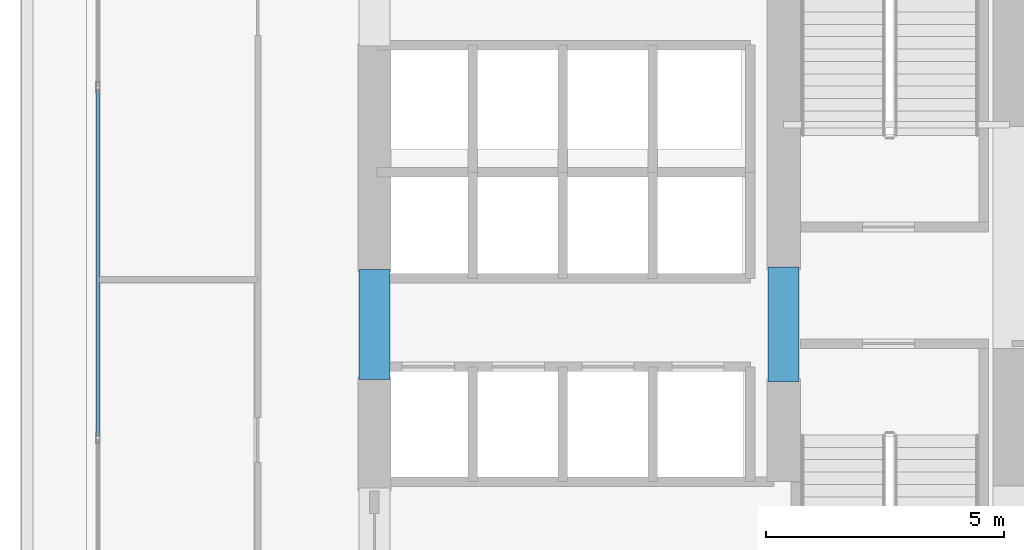
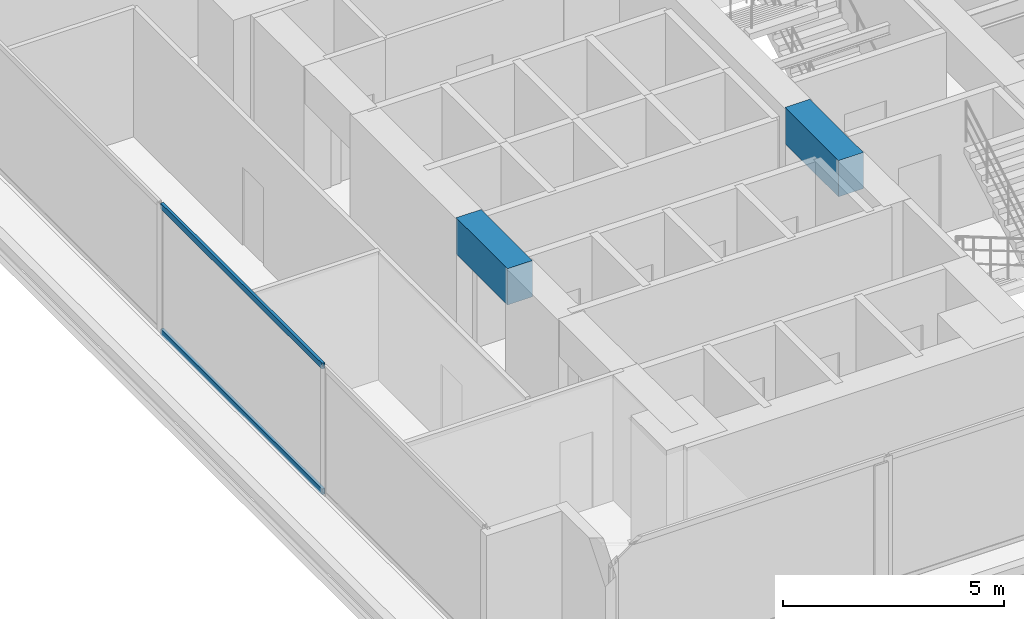
# One storey, part 3 of 29: 2 beams, 2 members, 1 element without a shape of its own.
"""IFC4 building model written with IfcOpenShell, lengths in metres."""

import ifcopenshell
import ifcopenshell.guid

model = None  # the IFC model being written
_history = None  # IfcOwnerHistory: only IFC2X3 demands one
_inside = {}  # id of a spatial element -> (the spatial element, [elements in it])
_under = {}  # id of a project, library or spatial element -> (it, [spatial elements below it])
_declared = {}  # id of a project -> (the project, [libraries it declares])
_typed = {}  # id of a type object -> (the type object, [elements of that type])
_made_of = {}  # id of a material, layer set ... -> (it, [elements and type objects made of it])


def new_model(schema):
    """Start an empty IFC model of exactly this schema.

    Asked for "IFC4X3", IfcOpenShell would pick the latest addendum, in which some entities
    have other attributes; the version numbers below select the first issue.
    IFC2X3 requires an IfcOwnerHistory on every rooted entity: one is made here for all.
    """
    global model, _history
    if schema == "IFC4X3":
        model = ifcopenshell.file(schema_version=(4, 3, 0, 0))
    else:
        model = ifcopenshell.file(schema=schema)
    _inside.clear()
    _under.clear()
    _declared.clear()
    _typed.clear()
    _made_of.clear()
    _history = None
    if model.schema == "IFC2X3":
        org = make("IfcOrganization", Name="unknown")
        user = make(
            "IfcPersonAndOrganization",
            ThePerson=make("IfcPerson", FamilyName="unknown"),
            TheOrganization=org,
        )
        app = make(
            "IfcApplication",
            ApplicationDeveloper=org,
            Version="unknown",
            ApplicationFullName="unknown",
            ApplicationIdentifier="unknown",
        )
        _history = make(
            "IfcOwnerHistory",
            OwningUser=user,
            OwningApplication=app,
            ChangeAction="ADDED",
            CreationDate=0,
        )
    return model


def make(cls, **values):
    """One entity of the class cls with the attributes given. An attribute that is None is left unset."""
    return model.create_entity(
        cls, **{name: value for name, value in values.items() if value is not None}
    )


def rooted(cls, **values):
    """An entity with a GlobalId (a new one), such as an element, a storey or a relation."""
    return make(cls, GlobalId=ifcopenshell.guid.new(), OwnerHistory=_history, **values)


def si_unit(unit_type, name, prefix=None):
    """IfcSIUnit, for example si_unit("LENGTHUNIT", "METRE", prefix="MILLI")."""
    return make("IfcSIUnit", UnitType=unit_type, Prefix=prefix, Name=name)


def assignment(units):
    """IfcUnitAssignment: the units of a project."""
    return None if units is None else make("IfcUnitAssignment", Units=units)


def point(xyz):
    """IfcCartesianPoint."""
    return None if xyz is None else make("IfcCartesianPoint", Coordinates=xyz)


def direction(xyz):
    """IfcDirection."""
    return None if xyz is None else make("IfcDirection", DirectionRatios=xyz)


def frame(location, z_axis=None, x_axis=None):
    """IfcAxis2Placement3D, a coordinate frame: its origin and axes. An axis left out is left unset."""
    return make(
        "IfcAxis2Placement3D",
        Location=point(location),
        Axis=direction(z_axis),
        RefDirection=direction(x_axis),
    )


def frame_2d(location, x_axis=None):
    """IfcAxis2Placement2D, a coordinate frame in the plane: its origin and x axis."""
    return make(
        "IfcAxis2Placement2D", Location=point(location), RefDirection=direction(x_axis)
    )


def origin():
    """The frame at (0, 0, 0) with its axes left unset."""
    return frame((0.0, 0.0, 0.0))


def origin_with_axes():
    """The frame at (0, 0, 0) with the z axis (0, 0, 1) and the x axis (1, 0, 0) written out."""
    return frame((0.0, 0.0, 0.0), z_axis=(0.0, 0.0, 1.0), x_axis=(1.0, 0.0, 0.0))


def origin_2d():
    """The frame at (0, 0) in the plane with its x axis left unset."""
    return frame_2d((0.0, 0.0))


def place(relative_to, where):
    """IfcLocalPlacement: puts the frame where relative to a parent placement (None: the world)."""
    return make(
        "IfcLocalPlacement", PlacementRelTo=relative_to, RelativePlacement=where
    )


def context(
    kind, dimensions, precision=None, world=None, true_north=None, identifier=None
):
    """IfcGeometricRepresentationContext, for example the 3D "Model" context."""
    return make(
        "IfcGeometricRepresentationContext",
        ContextIdentifier=identifier,
        ContextType=kind,
        CoordinateSpaceDimension=dimensions,
        Precision=precision,
        WorldCoordinateSystem=world,
        TrueNorth=true_north,
    )


def subcontext(parent, identifier, kind, view, scale=None):
    """IfcGeometricRepresentationSubContext, for example "Body" below "Model"."""
    return make(
        "IfcGeometricRepresentationSubContext",
        ContextIdentifier=identifier,
        ContextType=kind,
        ParentContext=parent,
        TargetScale=scale,
        TargetView=view,
    )


def project(units=None, contexts=None):
    """IfcProject with its units and contexts."""
    return rooted(
        "IfcProject",
        Name="project",
        RepresentationContexts=contexts,
        UnitsInContext=assignment(units),
    )


def spatial(cls, under=None, at=None, **own):
    """A site, building, storey or space (cls), placed at a placement, below another one or the project."""
    s = rooted(cls, ObjectPlacement=at, **own)
    if under is not None:
        _under.setdefault(under.id(), (under, []))[1].append(s)
    return s


def profile(cls, at=None, kind="AREA", **sizes):
    """A parametric profile (cls). Its sizes go by their IFC names, for example OverallWidth=200.0."""
    return make(cls, ProfileType=kind, Position=at, **sizes)


def rectangle(**sizes):
    """IfcRectangleProfileDef."""
    return profile("IfcRectangleProfileDef", **sizes)


def hollow_rectangle(**sizes):
    """IfcRectangleHollowProfileDef."""
    return profile("IfcRectangleHollowProfileDef", **sizes)


def extrude(swept, where, along, depth):
    """IfcExtrudedAreaSolid: the profile swept, set in the frame where, extruded along a direction by depth."""
    return make(
        "IfcExtrudedAreaSolid",
        SweptArea=swept,
        Position=where,
        ExtrudedDirection=direction(along),
        Depth=depth,
    )


def shape(context_of_items, identifier, shape_type, items):
    """IfcShapeRepresentation: the items that make up one representation, for example the "Body"."""
    return make(
        "IfcShapeRepresentation",
        ContextOfItems=context_of_items,
        RepresentationIdentifier=identifier,
        RepresentationType=shape_type,
        Items=items,
    )


def source(mapping_origin, context_of_items, identifier, shape_type, items):
    """IfcRepresentationMap: a shape defined once, which mapped items show again and again."""
    return make(
        "IfcRepresentationMap",
        MappingOrigin=mapping_origin,
        MappedRepresentation=shape(context_of_items, identifier, shape_type, items),
    )


def transform(
    local_origin,
    x_axis=None,
    y_axis=None,
    z_axis=None,
    scale=None,
    scale2=None,
    scale3=None,
    uniform=True,
):
    """IfcCartesianTransformationOperator3D, or its non-uniform kind. x_axis, y_axis, z_axis: its Axis1, 2, 3."""
    if uniform:
        return make(
            "IfcCartesianTransformationOperator3D",
            Axis1=direction(x_axis),
            Axis2=direction(y_axis),
            LocalOrigin=point(local_origin),
            Scale=scale,
            Axis3=direction(z_axis),
        )
    return make(
        "IfcCartesianTransformationOperator3DnonUniform",
        Axis1=direction(x_axis),
        Axis2=direction(y_axis),
        LocalOrigin=point(local_origin),
        Scale=scale,
        Axis3=direction(z_axis),
        Scale2=scale2,
        Scale3=scale3,
    )


def mapped(mapping_source, mapping_target):
    """IfcMappedItem: shows the shape of a source again, moved by a transform."""
    return make(
        "IfcMappedItem", MappingSource=mapping_source, MappingTarget=mapping_target
    )


def material(Name=None, Category=None):
    """IfcMaterial."""
    return make("IfcMaterial", Name=Name, Category=Category)


def layer(
    of_material, thickness, ventilated=None, Name=None, Category=None, Priority=None
):
    """IfcMaterialLayer: one layer of a wall or slab, of a material (None: an air gap)."""
    return make(
        "IfcMaterialLayer",
        Material=of_material,
        LayerThickness=thickness,
        IsVentilated=ventilated,
        Name=Name,
        Category=Category,
        Priority=Priority,
    )


def layer_set(layers, Name=None):
    """IfcMaterialLayerSet."""
    return make("IfcMaterialLayerSet", MaterialLayers=layers, LayerSetName=Name)


def material_profile(
    of_material, cross_section, Name=None, Category=None, Priority=None
):
    """IfcMaterialProfile: a cross section and its material."""
    return make(
        "IfcMaterialProfile",
        Name=Name,
        Material=of_material,
        Profile=cross_section,
        Priority=Priority,
        Category=Category,
    )


def profile_set(profiles, Name=None, composite=None):
    """IfcMaterialProfileSet."""
    return make(
        "IfcMaterialProfileSet",
        Name=Name,
        MaterialProfiles=profiles,
        CompositeProfile=composite,
    )


def made_of(thing, what):
    """Note that an element or type object is made of a material, layer set ...; save() writes the relation."""
    if what is not None:
        _made_of.setdefault(what.id(), (what, []))[1].append(thing)
    return thing


def type_object(cls, material=None, **own):
    """A type object (cls), such as IfcWallType, which elements share."""
    return made_of(rooted(cls, **own), material)


def element(
    cls,
    number,
    at=None,
    inside=None,
    cuts=None,
    type_object=None,
    material=None,
    context=None,
    identifier="Body",
    shape_type=None,
    held_by="IfcProductDefinitionShape",
    body=None,
    shapes=None,
    **own,
):
    """One element of the class cls, such as IfcWall. Its Tag is "e" and its number.

    at: its placement. inside: the storey or other place that contains it. cuts: it is an
    opening in that element (IfcRelVoidsElement). A single representation is given by context,
    identifier, shape_type and body (its items); several are given by shapes. held_by: the class
    of the entity that holds the representations. save() writes the other relations.
    """
    e = rooted(cls, Tag="e%d" % number, ObjectPlacement=at, **own)
    if body is not None:
        shapes = [shape(context, identifier, shape_type, body)]
    if shapes is not None:
        e.Representation = make(held_by, Representations=shapes)
    if inside is not None:
        _inside.setdefault(inside.id(), (inside, []))[1].append(e)
    if cuts is not None:
        rooted(
            "IfcRelVoidsElement", RelatingBuildingElement=cuts, RelatedOpeningElement=e
        )
    if type_object is not None:
        _typed.setdefault(type_object.id(), (type_object, []))[1].append(e)
    return made_of(e, material)


def aggregate(whole, parts):
    """IfcRelAggregates: a whole, such as a stair, and the parts it consists of."""
    return rooted("IfcRelAggregates", RelatingObject=whole, RelatedObjects=parts)


def save(model, path):
    """Write the relations noted so far, then the file.

    IfcRelAggregates (storeys below a building ...), IfcRelContainedInSpatialStructure (elements
    in a storey), IfcRelDefinesByType, IfcRelAssociatesMaterial and IfcRelDeclares: one each for
    every whole, place, type object, material and project.
    """
    for whole, parts in _under.values():
        aggregate(whole, parts)
    for where, things in _inside.values():
        rooted(
            "IfcRelContainedInSpatialStructure",
            RelatedElements=things,
            RelatingStructure=where,
        )
    for kind, things in _typed.values():
        rooted("IfcRelDefinesByType", RelatedObjects=things, RelatingType=kind)
    for what, things in _made_of.values():
        rooted("IfcRelAssociatesMaterial", RelatedObjects=things, RelatingMaterial=what)
    for by, libraries in _declared.values():
        rooted("IfcRelDeclares", RelatingContext=by, RelatedDefinitions=libraries)
    model.write(path)


model = new_model("IFC4")

# Units and contexts
model_context = context("Model", 3, precision=1e-05, world=origin(), true_north=direction((0.0, 1.0)))
body_context = subcontext(model_context, "Body", "Model", "MODEL_VIEW")
ifc_project = project(units=[si_unit("LENGTHUNIT", "METRE"), si_unit("AREAUNIT", "SQUARE_METRE"), si_unit("VOLUMEUNIT", "CUBIC_METRE"), si_unit("PLANEANGLEUNIT", "RADIAN"), si_unit("MASSUNIT", "GRAM", prefix="KILO")], contexts=[model_context])

# Site, building, storey
site_placement = place(None, origin())
site = spatial("IfcSite", under=ifc_project, at=site_placement, CompositionType="ELEMENT")
building_placement = place(site_placement, origin())
building = spatial("IfcBuilding", under=site, at=building_placement, Name="Kolvaren Waterfront Exchange", CompositionType="ELEMENT")
storey_placement = place(building_placement, frame((0.0, 0.0, 29.60009765625)))
storey = spatial("IfcBuildingStorey", under=building, at=storey_placement, Name="L07", CompositionType="ELEMENT", Elevation=29.60009765625)

# Beams
ifc_material_1 = material(Name="Concrete C60/75", Category="concrete")
ifc_material_profile_1 = material_profile(ifc_material_1, rectangle(XDim=0.64990234375, YDim=1.0, at=origin_2d()), Name="RC-CB-1000x650")
ifc_profile_set_1 = profile_set([ifc_material_profile_1], Name="Concrete C60/75")
beam_type = type_object("IfcBeamType", Name="STR-CB-1000", PredefinedType="SPANDREL", material=ifc_profile_set_1)
beam_1_placement = place(storey_placement, frame((7.449951171875, 12.090087890625, 3.039794921875), z_axis=(0.0, 1.0, 0.0), x_axis=(-1.0, 0.0, 0.0)))
element("IfcBeam", 1, at=beam_1_placement, inside=storey, type_object=beam_type, Name="L07 core coupling beam 4", PredefinedType="SPANDREL", context=body_context, shape_type="SweptSolid", body=[
    extrude(rectangle(XDim=0.64990234375, YDim=1.0, at=origin_2d()), origin(), (0.0, 0.0, 1.0), 2.31982421875),
])
beam_2_placement = place(storey_placement, frame((16.050048828125, 12.0400390625, 3.039794921875), z_axis=(0.0, 1.0, 0.0), x_axis=(-1.0, 0.0, 0.0)))
element("IfcBeam", 2, at=beam_2_placement, inside=storey, type_object=beam_type, Name="L07 core coupling beam 6", PredefinedType="SPANDREL", context=body_context, shape_type="SweptSolid", body=[
    extrude(rectangle(XDim=0.64990234375, YDim=1.0, at=origin_2d()), origin(), (0.0, 0.0, 1.0), 2.419921875),
])

# Curtain wall, members
ifc_material_2 = material(Name="Anodised aluminium 6063-T6", Category="aluminium")
ifc_layer = layer(ifc_material_2, 0.219970703125, Name="Anodised aluminium 6063-T6")
ifc_layer_set = layer_set([ifc_layer], Name="Anodised aluminium 6063-T6")
curtain_wall_type = type_object("IfcCurtainWallType", Name="ARC-CW-SYS2", PredefinedType="USERDEFINED", material=ifc_layer_set)
curtain_wall_placement = place(storey_placement, origin())
curtain_wall = element("IfcCurtainWall", 3, at=curtain_wall_placement, inside=storey, type_object=curtain_wall_type, Name="L07 stick curtain wall CW2 (CW-L07-W)", ObjectType="STICK CURTAIN WALL", PredefinedType="USERDEFINED")
ifc_material_profile_2 = material_profile(ifc_material_2, hollow_rectangle(XDim=0.074951171875, YDim=0.159912109375, WallThickness=0.00439453125, at=origin_2d()), Name="ALU-TRN-160x75x4.5")
ifc_profile_set_2 = profile_set([ifc_material_profile_2], Name="Anodised aluminium 6063-T6")
member_type = type_object("IfcMemberType", Name="ARC-CWT-160", PredefinedType="USERDEFINED", material=ifc_profile_set_2)
shared_shape = source(origin_with_axes(), body_context, "Body", "SweptSolid", [
    extrude(hollow_rectangle(XDim=0.074951171875, YDim=0.159912109375, WallThickness=0.00439453125, at=origin_2d()), origin(), (0.0, 0.0, 1.0), 7.28662109375),
])
member_1_placement = place(storey_placement, frame((1.639892578125, 10.90673828125, 0.037353515625), z_axis=(0.0, 1.0, 0.0), x_axis=(-1.0, 0.0, 0.0)))
member_1 = element("IfcMember", 4, at=member_1_placement, type_object=member_type, Name="CW2 transom 2.1", ObjectType="TRANSOM", PredefinedType="USERDEFINED", context=body_context, shape_type="MappedRepresentation", body=[
    mapped(shared_shape, transform((0.0, 0.0, 0.0), x_axis=(1.0, 0.0, 0.0), y_axis=(0.0, 1.0, 0.0), z_axis=(0.0, 0.0, 1.0), scale=1.0)),
])
member_2_placement = place(storey_placement, frame((1.639892578125, 10.90673828125, 3.50244140625), z_axis=(0.0, 1.0, 0.0), x_axis=(-1.0, 0.0, 0.0)))
member_2 = element("IfcMember", 5, at=member_2_placement, type_object=member_type, Name="CW2 transom 2.2", ObjectType="TRANSOM", PredefinedType="USERDEFINED", context=body_context, shape_type="MappedRepresentation", body=[
    mapped(shared_shape, transform((0.0, 0.0, 0.0), x_axis=(1.0, 0.0, 0.0), y_axis=(0.0, 1.0, 0.0), z_axis=(0.0, 0.0, 1.0), scale=1.0)),
])
aggregate(curtain_wall, [member_1, member_2])

save(model, "model.ifc")
